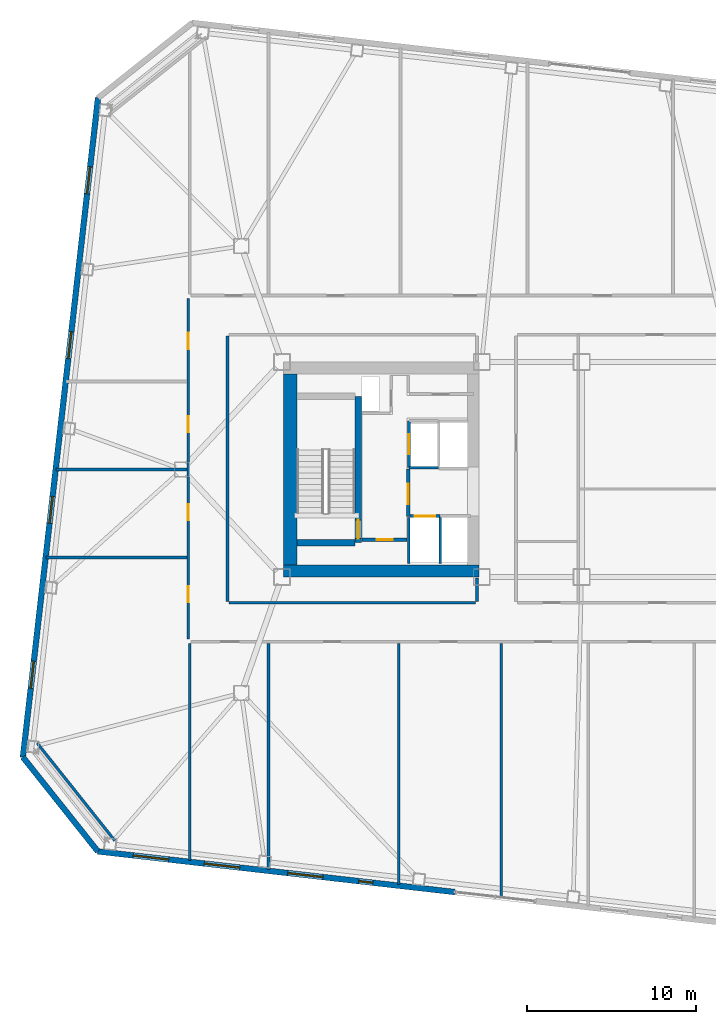
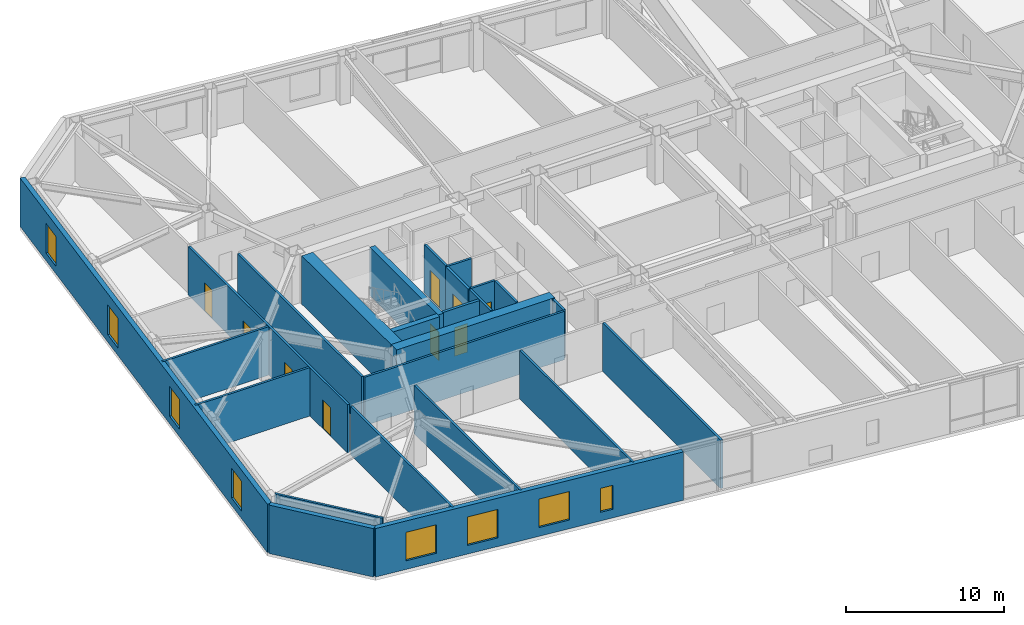
# One storey, part 12 of 22: 25 walls, 9 doors, 8 windows, 17 openings.
"""IFC4 building model written with IfcOpenShell, lengths in metres."""

import ifcopenshell
import ifcopenshell.guid

model = None  # the IFC model being written
_history = None  # IfcOwnerHistory: only IFC2X3 demands one
_inside = {}  # id of a spatial element -> (the spatial element, [elements in it])
_under = {}  # id of a project, library or spatial element -> (it, [spatial elements below it])
_declared = {}  # id of a project -> (the project, [libraries it declares])
_typed = {}  # id of a type object -> (the type object, [elements of that type])
_made_of = {}  # id of a material, layer set ... -> (it, [elements and type objects made of it])


def new_model(schema):
    """Start an empty IFC model of exactly this schema.

    Asked for "IFC4X3", IfcOpenShell would pick the latest addendum, in which some entities
    have other attributes; the version numbers below select the first issue.
    IFC2X3 requires an IfcOwnerHistory on every rooted entity: one is made here for all.
    """
    global model, _history
    if schema == "IFC4X3":
        model = ifcopenshell.file(schema_version=(4, 3, 0, 0))
    else:
        model = ifcopenshell.file(schema=schema)
    _inside.clear()
    _under.clear()
    _declared.clear()
    _typed.clear()
    _made_of.clear()
    _history = None
    if model.schema == "IFC2X3":
        org = make("IfcOrganization", Name="unknown")
        user = make(
            "IfcPersonAndOrganization",
            ThePerson=make("IfcPerson", FamilyName="unknown"),
            TheOrganization=org,
        )
        app = make(
            "IfcApplication",
            ApplicationDeveloper=org,
            Version="unknown",
            ApplicationFullName="unknown",
            ApplicationIdentifier="unknown",
        )
        _history = make(
            "IfcOwnerHistory",
            OwningUser=user,
            OwningApplication=app,
            ChangeAction="ADDED",
            CreationDate=0,
        )
    return model


def make(cls, **values):
    """One entity of the class cls with the attributes given. An attribute that is None is left unset."""
    return model.create_entity(
        cls, **{name: value for name, value in values.items() if value is not None}
    )


def rooted(cls, **values):
    """An entity with a GlobalId (a new one), such as an element, a storey or a relation."""
    return make(cls, GlobalId=ifcopenshell.guid.new(), OwnerHistory=_history, **values)


def si_unit(unit_type, name, prefix=None):
    """IfcSIUnit, for example si_unit("LENGTHUNIT", "METRE", prefix="MILLI")."""
    return make("IfcSIUnit", UnitType=unit_type, Prefix=prefix, Name=name)


def assignment(units):
    """IfcUnitAssignment: the units of a project."""
    return None if units is None else make("IfcUnitAssignment", Units=units)


def point(xyz):
    """IfcCartesianPoint."""
    return None if xyz is None else make("IfcCartesianPoint", Coordinates=xyz)


def direction(xyz):
    """IfcDirection."""
    return None if xyz is None else make("IfcDirection", DirectionRatios=xyz)


def frame(location, z_axis=None, x_axis=None):
    """IfcAxis2Placement3D, a coordinate frame: its origin and axes. An axis left out is left unset."""
    return make(
        "IfcAxis2Placement3D",
        Location=point(location),
        Axis=direction(z_axis),
        RefDirection=direction(x_axis),
    )


def frame_2d(location, x_axis=None):
    """IfcAxis2Placement2D, a coordinate frame in the plane: its origin and x axis."""
    return make(
        "IfcAxis2Placement2D", Location=point(location), RefDirection=direction(x_axis)
    )


def origin():
    """The frame at (0, 0, 0) with its axes left unset."""
    return frame((0.0, 0.0, 0.0))


def place(relative_to, where):
    """IfcLocalPlacement: puts the frame where relative to a parent placement (None: the world)."""
    return make(
        "IfcLocalPlacement", PlacementRelTo=relative_to, RelativePlacement=where
    )


def context(
    kind, dimensions, precision=None, world=None, true_north=None, identifier=None
):
    """IfcGeometricRepresentationContext, for example the 3D "Model" context."""
    return make(
        "IfcGeometricRepresentationContext",
        ContextIdentifier=identifier,
        ContextType=kind,
        CoordinateSpaceDimension=dimensions,
        Precision=precision,
        WorldCoordinateSystem=world,
        TrueNorth=true_north,
    )


def subcontext(parent, identifier, kind, view, scale=None):
    """IfcGeometricRepresentationSubContext, for example "Body" below "Model"."""
    return make(
        "IfcGeometricRepresentationSubContext",
        ContextIdentifier=identifier,
        ContextType=kind,
        ParentContext=parent,
        TargetScale=scale,
        TargetView=view,
    )


def project(units=None, contexts=None):
    """IfcProject with its units and contexts."""
    return rooted(
        "IfcProject",
        Name="project",
        RepresentationContexts=contexts,
        UnitsInContext=assignment(units),
    )


def spatial(cls, under=None, at=None, **own):
    """A site, building, storey or space (cls), placed at a placement, below another one or the project."""
    s = rooted(cls, ObjectPlacement=at, **own)
    if under is not None:
        _under.setdefault(under.id(), (under, []))[1].append(s)
    return s


def profile(cls, at=None, kind="AREA", **sizes):
    """A parametric profile (cls). Its sizes go by their IFC names, for example OverallWidth=200.0."""
    return make(cls, ProfileType=kind, Position=at, **sizes)


def rectangle(**sizes):
    """IfcRectangleProfileDef."""
    return profile("IfcRectangleProfileDef", **sizes)


def extrude(swept, where, along, depth):
    """IfcExtrudedAreaSolid: the profile swept, set in the frame where, extruded along a direction by depth."""
    return make(
        "IfcExtrudedAreaSolid",
        SweptArea=swept,
        Position=where,
        ExtrudedDirection=direction(along),
        Depth=depth,
    )


def shape(context_of_items, identifier, shape_type, items):
    """IfcShapeRepresentation: the items that make up one representation, for example the "Body"."""
    return make(
        "IfcShapeRepresentation",
        ContextOfItems=context_of_items,
        RepresentationIdentifier=identifier,
        RepresentationType=shape_type,
        Items=items,
    )


def material(Name=None, Category=None):
    """IfcMaterial."""
    return make("IfcMaterial", Name=Name, Category=Category)


def layer(
    of_material, thickness, ventilated=None, Name=None, Category=None, Priority=None
):
    """IfcMaterialLayer: one layer of a wall or slab, of a material (None: an air gap)."""
    return make(
        "IfcMaterialLayer",
        Material=of_material,
        LayerThickness=thickness,
        IsVentilated=ventilated,
        Name=Name,
        Category=Category,
        Priority=Priority,
    )


def layer_set(layers, Name=None):
    """IfcMaterialLayerSet."""
    return make("IfcMaterialLayerSet", MaterialLayers=layers, LayerSetName=Name)


def made_of(thing, what):
    """Note that an element or type object is made of a material, layer set ...; save() writes the relation."""
    if what is not None:
        _made_of.setdefault(what.id(), (what, []))[1].append(thing)
    return thing


def type_object(cls, material=None, **own):
    """A type object (cls), such as IfcWallType, which elements share."""
    return made_of(rooted(cls, **own), material)


def element(
    cls,
    number,
    at=None,
    inside=None,
    cuts=None,
    type_object=None,
    material=None,
    context=None,
    identifier="Body",
    shape_type=None,
    held_by="IfcProductDefinitionShape",
    body=None,
    shapes=None,
    **own,
):
    """One element of the class cls, such as IfcWall. Its Tag is "e" and its number.

    at: its placement. inside: the storey or other place that contains it. cuts: it is an
    opening in that element (IfcRelVoidsElement). A single representation is given by context,
    identifier, shape_type and body (its items); several are given by shapes. held_by: the class
    of the entity that holds the representations. save() writes the other relations.
    """
    e = rooted(cls, Tag="e%d" % number, ObjectPlacement=at, **own)
    if body is not None:
        shapes = [shape(context, identifier, shape_type, body)]
    if shapes is not None:
        e.Representation = make(held_by, Representations=shapes)
    if inside is not None:
        _inside.setdefault(inside.id(), (inside, []))[1].append(e)
    if cuts is not None:
        rooted(
            "IfcRelVoidsElement", RelatingBuildingElement=cuts, RelatedOpeningElement=e
        )
    if type_object is not None:
        _typed.setdefault(type_object.id(), (type_object, []))[1].append(e)
    return made_of(e, material)


def fill(opening, filler):
    """IfcRelFillsElement: the door or window that sits in an opening."""
    return rooted(
        "IfcRelFillsElement",
        RelatingOpeningElement=opening,
        RelatedBuildingElement=filler,
    )


def aggregate(whole, parts):
    """IfcRelAggregates: a whole, such as a stair, and the parts it consists of."""
    return rooted("IfcRelAggregates", RelatingObject=whole, RelatedObjects=parts)


def save(model, path):
    """Write the relations noted so far, then the file.

    IfcRelAggregates (storeys below a building ...), IfcRelContainedInSpatialStructure (elements
    in a storey), IfcRelDefinesByType, IfcRelAssociatesMaterial and IfcRelDeclares: one each for
    every whole, place, type object, material and project.
    """
    for whole, parts in _under.values():
        aggregate(whole, parts)
    for where, things in _inside.values():
        rooted(
            "IfcRelContainedInSpatialStructure",
            RelatedElements=things,
            RelatingStructure=where,
        )
    for kind, things in _typed.values():
        rooted("IfcRelDefinesByType", RelatedObjects=things, RelatingType=kind)
    for what, things in _made_of.values():
        rooted("IfcRelAssociatesMaterial", RelatedObjects=things, RelatingMaterial=what)
    for by, libraries in _declared.values():
        rooted("IfcRelDeclares", RelatingContext=by, RelatedDefinitions=libraries)
    model.write(path)


model = new_model("IFC4")

# Units and contexts
model_context = context("Model", 3, precision=1e-05, world=origin(), true_north=direction((0.0, 1.0)))
body_context = subcontext(model_context, "Body", "Model", "MODEL_VIEW")
ifc_project = project(units=[si_unit("LENGTHUNIT", "METRE"), si_unit("AREAUNIT", "SQUARE_METRE"), si_unit("VOLUMEUNIT", "CUBIC_METRE"), si_unit("PLANEANGLEUNIT", "RADIAN"), si_unit("MASSUNIT", "GRAM", prefix="KILO")], contexts=[model_context])

# Site, building, storey
site_placement = place(None, origin())
site = spatial("IfcSite", under=ifc_project, at=site_placement, CompositionType="ELEMENT")
building_placement = place(site_placement, origin())
building = spatial("IfcBuilding", under=site, at=building_placement, Name="Tavrogorsk Clinical Tower", CompositionType="ELEMENT")
storey_placement = place(building_placement, frame((0.0, 0.0, 117.39990234375)))
storey = spatial("IfcBuildingStorey", under=building, at=storey_placement, Name="L26", CompositionType="ELEMENT", Elevation=117.39990234375)

# Wall, opening, door
ifc_material_1 = material(Name="Concrete B60", Category="concrete")
ifc_layer_1 = layer(ifc_material_1, 0.199951171875)
ifc_layer_set_1 = layer_set([ifc_layer_1], Name="Concrete B60")
wall_type_1 = type_object("IfcWallType", Name="CoreFireWall_200", PredefinedType="SOLIDWALL", material=ifc_layer_set_1)
wall_1_placement = place(storey_placement, frame((-17.3798828125, -4.139892578125, 0.0), z_axis=(0.0, 0.0, 1.0), x_axis=(1.0, 0.0, 0.0)))
wall_1 = element("IfcWall", 1, at=wall_1_placement, inside=storey, type_object=wall_type_1, Name="L26 Core West South Core Room Fire Wall", PredefinedType="SOLIDWALL", context=body_context, shape_type="SweptSolid", body=[
    extrude(rectangle(XDim=2.659912109375, YDim=0.199951171875, at=frame_2d((1.330078125, 0.0))), origin(), (0.0, 0.0, 1.0), 3.739990234375),
])
opening_1_placement = place(wall_1_placement, frame((0.8798828125, 0.0, 0.0)))
opening_1 = element("IfcOpeningElement", 2, at=opening_1_placement, cuts=wall_1, Name="Opening ID-02", PredefinedType="OPENING", context=body_context, shape_type="SweptSolid", body=[
    extrude(rectangle(XDim=0.949951171875, YDim=2.199951171875, at=frame_2d((0.47509765625, 1.10009765625))), frame((0.0, 0.10986328125, 0.0), z_axis=(0.0, -1.0, 0.0), x_axis=(1.0, 0.0, 0.0)), (0.0, 0.0, 1.0), 0.219970703125),
])
ifc_material_2 = material(Name="Laminated timber leaf on aluminium frame", Category="wood")
door_type_1 = type_object("IfcDoorType", Name="InteriorDoor_ID02_950", OperationType="NOTDEFINED", PredefinedType="DOOR", material=ifc_material_2)
door_1_placement = place(opening_1_placement, origin())
door_1 = element("IfcDoor", 3, at=door_1_placement, inside=storey, type_object=door_type_1, Name="L26 Core West South Core Room Door", OperationType="SINGLE_SWING_RIGHT", OverallHeight=2.199951171875, OverallWidth=0.949951171875, PredefinedType="DOOR", context=body_context, shape_type="SweptSolid", body=[
    extrude(rectangle(XDim=0.949951171875, YDim=2.199951171875, at=frame_2d((0.47509765625, 1.10009765625))), frame((0.0, 0.02490234375, 0.0), z_axis=(0.0, -1.0, 0.0), x_axis=(1.0, 0.0, 0.0)), (0.0, 0.0, 1.0), 0.050048828125),
])
fill(opening_1, door_1)

wall_2_placement = place(storey_placement, frame((-14.639892578125, -2.780029296875, 0.0), z_axis=(0.0, 0.0, 1.0), x_axis=(0.0, 1.0, 0.0)))
wall_2 = element("IfcWall", 4, at=wall_2_placement, inside=storey, type_object=wall_type_1, Name="L26 Core West Firefighting Lobby Fire Wall", PredefinedType="SOLIDWALL", context=body_context, shape_type="SweptSolid", body=[
    extrude(rectangle(XDim=2.820068359375, YDim=0.199951171875, at=frame_2d((1.41015625, 0.0))), origin(), (0.0, 0.0, 1.0), 3.739990234375),
])
opening_2_placement = place(wall_2_placement, frame((0.72998046875, 0.0, 0.0)))
opening_2 = element("IfcOpeningElement", 5, at=opening_2_placement, cuts=wall_2, Name="Opening FD-01", PredefinedType="OPENING", context=body_context, shape_type="SweptSolid", body=[
    extrude(rectangle(XDim=1.199951171875, YDim=2.199951171875, at=frame_2d((0.60009765625, 1.10009765625))), frame((0.0, 0.10986328125, 0.0), z_axis=(0.0, -1.0, 0.0), x_axis=(1.0, 0.0, 0.0)), (0.0, 0.0, 1.0), 0.219970703125),
])
ifc_material_3 = material(Name="Galvanised steel fire-rated door assembly", Category="steel")
door_type_2 = type_object("IfcDoorType", Name="FireDoor_FD01_1200", OperationType="NOTDEFINED", PredefinedType="DOOR", material=ifc_material_3)
door_2_placement = place(opening_2_placement, origin())
door_2 = element("IfcDoor", 6, at=door_2_placement, inside=storey, type_object=door_type_2, Name="L26 Core West Firefighting Lobby Entry Door", OperationType="SINGLE_SWING_RIGHT", OverallHeight=2.199951171875, OverallWidth=1.199951171875, PredefinedType="DOOR", context=body_context, shape_type="SweptSolid", body=[
    extrude(rectangle(XDim=1.199951171875, YDim=2.199951171875, at=frame_2d((0.60009765625, 1.10009765625))), frame((0.0, 0.02490234375, 0.0), z_axis=(0.0, -1.0, 0.0), x_axis=(1.0, 0.0, 0.0)), (0.0, 0.0, 1.0), 0.050048828125),
])
fill(opening_2, door_2)

# Wall
ifc_material_4 = material(Name="Lightweight concrete blockwork B15", Category="masonry")
ifc_layer_2 = layer(ifc_material_4, 0.159912109375)
ifc_layer_set_2 = layer_set([ifc_layer_2], Name="Lightweight concrete blockwork B15")
wall_type_2 = type_object("IfcWallType", Name="PartitionWall_160", PredefinedType="PARTITIONING", material=ifc_layer_set_2)
wall_3_placement = place(storey_placement, frame((-36.555908203125, -16.161865234375, 0.0), z_axis=(0.0, 0.0, 1.0), x_axis=(0.622522641622, -0.782601789334, 0.0)))
element("IfcWall", 7, at=wall_3_placement, inside=storey, type_object=wall_type_2, Name="L26 Corner Exoskeleton Brace Furring Wall 4", PredefinedType="PARTITIONING", context=body_context, shape_type="SweptSolid", body=[
    extrude(rectangle(XDim=7.354248046875, YDim=0.159912109375, at=frame_2d((3.67724609375, 0.0))), origin(), (0.0, 0.0, 1.0), 3.739990234375),
])

# Wall, openings, doors
wall_4_placement = place(storey_placement, frame((-27.6298828125, -10.014892578125, 0.0), z_axis=(0.0, 0.0, 1.0), x_axis=(0.0, 1.0, 0.0)))
wall_4 = element("IfcWall", 8, at=wall_4_placement, inside=storey, type_object=wall_type_2, Name="L26 Corridor Partition 01", PredefinedType="PARTITIONING", context=body_context, shape_type="SweptSolid", body=[
    extrude(rectangle(XDim=20.1298828125, YDim=0.159912109375, at=frame_2d((10.06494140625, 0.0))), origin(), (0.0, 0.0, 1.0), 3.739990234375),
])
opening_3_placement = place(wall_4_placement, frame((2.169189453125, 0.0, 0.0)))
opening_3 = element("IfcOpeningElement", 9, at=opening_3_placement, cuts=wall_4, Name="Opening ID-02", PredefinedType="OPENING", context=body_context, shape_type="SweptSolid", body=[
    extrude(rectangle(XDim=0.949951171875, YDim=2.199951171875, at=frame_2d((0.47509765625, 1.10009765625))), frame((0.0, 0.08984375, 0.0), z_axis=(0.0, -1.0, 0.0), x_axis=(1.0, 0.0, 0.0)), (0.0, 0.0, 1.0), 0.179931640625),
])
opening_4_placement = place(wall_4_placement, frame((7.02490234375, 0.0, 0.0)))
opening_4 = element("IfcOpeningElement", 10, at=opening_4_placement, cuts=wall_4, Name="Opening ID-02", PredefinedType="OPENING", context=body_context, shape_type="SweptSolid", body=[
    extrude(rectangle(XDim=0.949951171875, YDim=2.199951171875, at=frame_2d((0.47509765625, 1.10009765625))), frame((0.0, 0.08984375, 0.0), z_axis=(0.0, -1.0, 0.0), x_axis=(1.0, 0.0, 0.0)), (0.0, 0.0, 1.0), 0.179931640625),
])
opening_5_placement = place(wall_4_placement, frame((12.22509765625, 0.0, 0.0)))
opening_5 = element("IfcOpeningElement", 11, at=opening_5_placement, cuts=wall_4, Name="Opening ID-02", PredefinedType="OPENING", context=body_context, shape_type="SweptSolid", body=[
    extrude(rectangle(XDim=0.949951171875, YDim=2.199951171875, at=frame_2d((0.47509765625, 1.10009765625))), frame((0.0, 0.08984375, 0.0), z_axis=(0.0, -1.0, 0.0), x_axis=(1.0, 0.0, 0.0)), (0.0, 0.0, 1.0), 0.179931640625),
])
opening_6_placement = place(wall_4_placement, frame((17.130859375, 0.0, 0.0)))
opening_6 = element("IfcOpeningElement", 12, at=opening_6_placement, cuts=wall_4, Name="Opening ID-02", PredefinedType="OPENING", context=body_context, shape_type="SweptSolid", body=[
    extrude(rectangle(XDim=0.949951171875, YDim=2.199951171875, at=frame_2d((0.47509765625, 1.10009765625))), frame((0.0, 0.08984375, 0.0), z_axis=(0.0, -1.0, 0.0), x_axis=(1.0, 0.0, 0.0)), (0.0, 0.0, 1.0), 0.179931640625),
])
door_3_placement = place(opening_3_placement, origin())
door_3 = element("IfcDoor", 13, at=door_3_placement, inside=storey, type_object=door_type_1, Name="L26 W Solarium Day Room & Lounge 1 Door", OperationType="SINGLE_SWING_LEFT", OverallHeight=2.199951171875, OverallWidth=0.949951171875, PredefinedType="DOOR", context=body_context, shape_type="SweptSolid", body=[
    extrude(rectangle(XDim=0.949951171875, YDim=2.199951171875, at=frame_2d((0.47509765625, 1.10009765625))), frame((0.0, 0.02490234375, 0.0), z_axis=(0.0, -1.0, 0.0), x_axis=(1.0, 0.0, 0.0)), (0.0, 0.0, 1.0), 0.050048828125),
])
fill(opening_3, door_3)
door_4_placement = place(opening_4_placement, origin())
door_4 = element("IfcDoor", 14, at=door_4_placement, inside=storey, type_object=door_type_1, Name="L26 W Rehabilitation Therapy Suite 2 Door", OperationType="SINGLE_SWING_RIGHT", OverallHeight=2.199951171875, OverallWidth=0.949951171875, PredefinedType="DOOR", context=body_context, shape_type="SweptSolid", body=[
    extrude(rectangle(XDim=0.949951171875, YDim=2.199951171875, at=frame_2d((0.47509765625, 1.10009765625))), frame((0.0, 0.02490234375, 0.0), z_axis=(0.0, -1.0, 0.0), x_axis=(1.0, 0.0, 0.0)), (0.0, 0.0, 1.0), 0.050048828125),
])
fill(opening_4, door_4)
door_5_placement = place(opening_5_placement, origin())
door_5 = element("IfcDoor", 15, at=door_5_placement, inside=storey, type_object=door_type_1, Name="L26 W Sub-Acute Observation Suite 3 Door", OperationType="SINGLE_SWING_LEFT", OverallHeight=2.199951171875, OverallWidth=0.949951171875, PredefinedType="DOOR", context=body_context, shape_type="SweptSolid", body=[
    extrude(rectangle(XDim=0.949951171875, YDim=2.199951171875, at=frame_2d((0.47509765625, 1.10009765625))), frame((0.0, 0.02490234375, 0.0), z_axis=(0.0, -1.0, 0.0), x_axis=(1.0, 0.0, 0.0)), (0.0, 0.0, 1.0), 0.050048828125),
])
fill(opening_5, door_5)
door_6_placement = place(opening_6_placement, origin())
door_6 = element("IfcDoor", 16, at=door_6_placement, inside=storey, type_object=door_type_1, Name="L26 W Family Consultation Lounge 4 Door", OperationType="SINGLE_SWING_RIGHT", OverallHeight=2.199951171875, OverallWidth=0.949951171875, PredefinedType="DOOR", context=body_context, shape_type="SweptSolid", body=[
    extrude(rectangle(XDim=0.949951171875, YDim=2.199951171875, at=frame_2d((0.47509765625, 1.10009765625))), frame((0.0, 0.02490234375, 0.0), z_axis=(0.0, -1.0, 0.0), x_axis=(1.0, 0.0, 0.0)), (0.0, 0.0, 1.0), 0.050048828125),
])
fill(opening_6, door_6)

# Walls
wall_5_placement = place(storey_placement, frame((-10.580078125, -7.784912109375, 0.0), z_axis=(0.0, 0.0, 1.0), x_axis=(0.0, 1.0, 0.0)))
element("IfcWall", 17, at=wall_5_placement, inside=storey, type_object=wall_type_2, Name="L26 Corridor Partition 14", PredefinedType="PARTITIONING", context=body_context, shape_type="SweptSolid", body=[
    extrude(rectangle(XDim=1.364990234375, YDim=0.159912109375, at=frame_2d((0.6826171875, 0.0))), origin(), (0.0, 0.0, 1.0), 3.739990234375),
])
wall_6_placement = place(storey_placement, frame((-25.320068359375, 7.885009765625, 0.0), z_axis=(0.0, 0.0, 1.0), x_axis=(0.0, -1.0, 0.0)))
element("IfcWall", 18, at=wall_6_placement, inside=storey, type_object=wall_type_2, Name="L26 Corridor Partition 17", PredefinedType="PARTITIONING", context=body_context, shape_type="SweptSolid", body=[
    extrude(rectangle(XDim=15.669921875, YDim=0.159912109375, at=frame_2d((7.8349609375, 0.0))), origin(), (0.0, 0.0, 1.0), 3.739990234375),
])
wall_7_placement = place(storey_placement, frame((-25.235107421875, -7.8701171875, 0.0), z_axis=(0.0, 0.0, 1.0), x_axis=(1.0, 0.0, 0.0)))
element("IfcWall", 19, at=wall_7_placement, inside=storey, type_object=wall_type_2, Name="L26 Corridor Partition 18", PredefinedType="PARTITIONING", context=body_context, shape_type="SweptSolid", body=[
    extrude(rectangle(XDim=14.570068359375, YDim=0.159912109375, at=frame_2d((7.28515625, 0.0))), origin(), (0.0, 0.0, 1.0), 3.739990234375),
])
wall_8_placement = place(storey_placement, frame((-27.550048828125, -23.1064453125, 0.0), z_axis=(0.0, 0.0, 1.0), x_axis=(0.0, 1.0, 0.0)))
element("IfcWall", 20, at=wall_8_placement, inside=storey, type_object=wall_type_2, Name="L26 SW Wing Closure Partition", PredefinedType="PARTITIONING", context=body_context, shape_type="SweptSolid", body=[
    extrude(rectangle(XDim=12.841552734375, YDim=0.159912109375, at=frame_2d((6.4208984375, 0.0))), origin(), (0.0, 0.0, 1.0), 3.739990234375),
])
wall_9_placement = place(storey_placement, frame((-22.89990234375, -23.63623046875, 0.0), z_axis=(0.0, 0.0, 1.0), x_axis=(0.0, 1.0, 0.0)))
element("IfcWall", 21, at=wall_9_placement, inside=storey, type_object=wall_type_2, Name="L26 South Room Partition 1", PredefinedType="PARTITIONING", context=body_context, shape_type="SweptSolid", body=[
    extrude(rectangle(XDim=13.371337890625, YDim=0.159912109375, at=frame_2d((6.685546875, 0.0))), origin(), (0.0, 0.0, 1.0), 3.739990234375),
])
wall_10_placement = place(storey_placement, frame((-15.199951171875, -24.513671875, 0.0), z_axis=(0.0, 0.0, 1.0), x_axis=(0.0, 1.0, 0.0)))
element("IfcWall", 22, at=wall_10_placement, inside=storey, type_object=wall_type_2, Name="L26 South Room Partition 2", PredefinedType="PARTITIONING", context=body_context, shape_type="SweptSolid", body=[
    extrude(rectangle(XDim=14.248779296875, YDim=0.159912109375, at=frame_2d((7.12451171875, 0.0))), origin(), (0.0, 0.0, 1.0), 3.739990234375),
])
wall_11_placement = place(storey_placement, frame((-9.14990234375, -25.202880859375, 0.0), z_axis=(0.0, 0.0, 1.0), x_axis=(0.0, 1.0, 0.0)))
element("IfcWall", 23, at=wall_11_placement, inside=storey, type_object=wall_type_2, Name="L26 South Sub-Partition 3", PredefinedType="PARTITIONING", context=body_context, shape_type="SweptSolid", body=[
    extrude(rectangle(XDim=14.93798828125, YDim=0.159912109375, at=frame_2d((7.468994140625, 0.0))), origin(), (0.0, 0.0, 1.0), 3.739990234375),
])
wall_12_placement = place(storey_placement, frame((-36.0419921875, -5.199951171875, 0.0), z_axis=(0.0, 0.0, 1.0), x_axis=(1.0, 0.0, 0.0)))
element("IfcWall", 24, at=wall_12_placement, inside=storey, type_object=wall_type_2, Name="L26 W Wing Divider 1", PredefinedType="PARTITIONING", context=body_context, shape_type="SweptSolid", body=[
    extrude(rectangle(XDim=8.326904296875, YDim=0.159912109375, at=frame_2d((4.16357421875, 0.0))), origin(), (0.0, 0.0, 1.0), 3.739990234375),
])
wall_13_placement = place(storey_placement, frame((-35.449462890625, 0.0, 0.0), z_axis=(0.0, 0.0, 1.0), x_axis=(1.0, 0.0, 0.0)))
element("IfcWall", 25, at=wall_13_placement, inside=storey, type_object=wall_type_2, Name="L26 W Wing Divider 2", PredefinedType="PARTITIONING", context=body_context, shape_type="SweptSolid", body=[
    extrude(rectangle(XDim=7.734375, YDim=0.159912109375, at=frame_2d((3.8671875, 0.0))), origin(), (0.0, 0.0, 1.0), 3.739990234375),
])

# Wall, openings, windows
ifc_material_5 = material(Name="Precast concrete B45 with limestone cladding", Category="masonry")
ifc_layer_3 = layer(ifc_material_5, 0.340087890625)
ifc_layer_set_3 = layer_set([ifc_layer_3], Name="Precast concrete B45 with limestone cladding")
wall_type_3 = type_object("IfcWallType", Name="PrecastLimestoneWall_340", PredefinedType="STANDARD", material=ifc_layer_set_3)
wall_14_placement = place(storey_placement, frame((-32.977294921875, -22.55859375, 0.0), z_axis=(0.0, 0.0, 1.0), x_axis=(0.993571214605, -0.113208840243, 0.0)))
wall_14 = element("IfcWall", 26, at=wall_14_placement, inside=storey, type_object=wall_type_3, Name="L26 S Limestone Facade Wall 1", PredefinedType="STANDARD", context=body_context, shape_type="SweptSolid", body=[
    extrude(rectangle(XDim=21.22265625, YDim=0.340087890625, at=frame_2d((10.611328125, 0.0))), origin(), (0.0, 0.0, 1.0), 3.739990234375),
])
opening_7_placement = place(wall_14_placement, frame((2.10791015625, 0.0, 0.669921875)))
opening_7 = element("IfcOpeningElement", 27, at=opening_7_placement, cuts=wall_14, Name="Opening WN-03", PredefinedType="OPENING", context=body_context, shape_type="SweptSolid", body=[
    extrude(rectangle(XDim=2.10009765625, YDim=2.199951171875, at=frame_2d((1.050048828125, 1.10009765625))), frame((0.0, 0.179931640625, 0.0), z_axis=(0.0, -1.0, 0.0), x_axis=(1.0, 0.0, 0.0)), (0.0, 0.0, 1.0), 0.360107421875),
])
opening_8_placement = place(wall_14_placement, frame((6.329345703125, 0.0, 0.669921875)))
opening_8 = element("IfcOpeningElement", 28, at=opening_8_placement, cuts=wall_14, Name="Opening WN-03", PredefinedType="OPENING", context=body_context, shape_type="SweptSolid", body=[
    extrude(rectangle(XDim=2.10009765625, YDim=2.199951171875, at=frame_2d((1.050048828125, 1.10009765625))), frame((0.0, 0.179931640625, 0.0), z_axis=(0.0, -1.0, 0.0), x_axis=(1.0, 0.0, 0.0)), (0.0, 0.0, 1.0), 0.360107421875),
])
opening_9_placement = place(wall_14_placement, frame((11.284912109375, 0.0, 0.669921875)))
opening_9 = element("IfcOpeningElement", 29, at=opening_9_placement, cuts=wall_14, Name="Opening WN-03", PredefinedType="OPENING", context=body_context, shape_type="SweptSolid", body=[
    extrude(rectangle(XDim=2.10009765625, YDim=2.199951171875, at=frame_2d((1.050048828125, 1.10009765625))), frame((0.0, 0.179931640625, 0.0), z_axis=(0.0, -1.0, 0.0), x_axis=(1.0, 0.0, 0.0)), (0.0, 0.0, 1.0), 0.360107421875),
])
opening_10_placement = place(wall_14_placement, frame((15.50634765625, 0.0, 0.669921875)))
opening_10 = element("IfcOpeningElement", 30, at=opening_10_placement, cuts=wall_14, Name="Opening WN-06", PredefinedType="OPENING", context=body_context, shape_type="SweptSolid", body=[
    extrude(rectangle(XDim=0.85009765625, YDim=1.85009765625, at=frame_2d((0.425048828125, 0.925048828125))), frame((0.0, 0.179931640625, 0.0), z_axis=(0.0, -1.0, 0.0), x_axis=(1.0, 0.0, 0.0)), (0.0, 0.0, 1.0), 0.360107421875),
])
ifc_material_6 = material(Name="Thermally broken aluminium frame and triple IGU", Category="aluminium")
window_type_1 = type_object("IfcWindowType", Name="MullionSubWin_850x1850", PartitioningType="SINGLE_PANEL", PredefinedType="WINDOW", material=ifc_material_6)
window_1_placement = place(opening_10_placement, origin())
window_1 = element("IfcWindow", 31, at=window_1_placement, inside=storey, type_object=window_type_1, Name="L26 S Mullion Split Window 04A", OverallHeight=1.85009765625, OverallWidth=0.85009765625, PartitioningType="SINGLE_PANEL", PredefinedType="WINDOW", context=body_context, shape_type="SweptSolid", body=[
    extrude(rectangle(XDim=0.85009765625, YDim=1.85009765625, at=frame_2d((0.425048828125, 0.925048828125))), frame((0.0, 0.030029296875, 0.0), z_axis=(0.0, -1.0, 0.0), x_axis=(1.0, 0.0, 0.0)), (0.0, 0.0, 1.0), 0.06005859375),
])
fill(opening_10, window_1)
ifc_material_7 = material(Name="Thermally broken aluminium frame and triple IGU", Category="aluminium")
window_type_2 = type_object("IfcWindowType", Name="PatientTwinWin_2100x2200", PartitioningType="DOUBLE_PANEL_VERTICAL", PredefinedType="WINDOW", material=ifc_material_7)
window_2_placement = place(opening_7_placement, origin())
window_2 = element("IfcWindow", 32, at=window_2_placement, inside=storey, type_object=window_type_2, Name="L26 S Chicago Window 01", OverallHeight=2.199951171875, OverallWidth=2.10009765625, PartitioningType="SINGLE_PANEL", PredefinedType="WINDOW", context=body_context, shape_type="SweptSolid", body=[
    extrude(rectangle(XDim=2.10009765625, YDim=2.199951171875, at=frame_2d((1.050048828125, 1.10009765625))), frame((0.0, 0.030029296875, 0.0), z_axis=(0.0, -1.0, 0.0), x_axis=(1.0, 0.0, 0.0)), (0.0, 0.0, 1.0), 0.06005859375),
])
fill(opening_7, window_2)
window_3_placement = place(opening_8_placement, origin())
window_3 = element("IfcWindow", 33, at=window_3_placement, inside=storey, type_object=window_type_2, Name="L26 S Chicago Window 02", OverallHeight=2.199951171875, OverallWidth=2.10009765625, PartitioningType="SINGLE_PANEL", PredefinedType="WINDOW", context=body_context, shape_type="SweptSolid", body=[
    extrude(rectangle(XDim=2.10009765625, YDim=2.199951171875, at=frame_2d((1.050048828125, 1.10009765625))), frame((0.0, 0.030029296875, 0.0), z_axis=(0.0, -1.0, 0.0), x_axis=(1.0, 0.0, 0.0)), (0.0, 0.0, 1.0), 0.06005859375),
])
fill(opening_8, window_3)
window_4_placement = place(opening_9_placement, origin())
window_4 = element("IfcWindow", 34, at=window_4_placement, inside=storey, type_object=window_type_2, Name="L26 S Chicago Window 03", OverallHeight=2.199951171875, OverallWidth=2.10009765625, PartitioningType="SINGLE_PANEL", PredefinedType="WINDOW", context=body_context, shape_type="SweptSolid", body=[
    extrude(rectangle(XDim=2.10009765625, YDim=2.199951171875, at=frame_2d((1.050048828125, 1.10009765625))), frame((0.0, 0.030029296875, 0.0), z_axis=(0.0, -1.0, 0.0), x_axis=(1.0, 0.0, 0.0)), (0.0, 0.0, 1.0), 0.06005859375),
])
fill(opening_9, window_4)

wall_15_placement = place(storey_placement, frame((-32.968017578125, 21.95654296875, 0.0), z_axis=(0.0, 0.0, 1.0), x_axis=(-0.113201605824, -0.993572038877, 0.0)))
wall_15 = element("IfcWall", 35, at=wall_15_placement, inside=storey, type_object=wall_type_3, Name="L26 W Pleated Limestone Wing Wall", PredefinedType="STANDARD", context=body_context, shape_type="SweptSolid", body=[
    extrude(rectangle(XDim=39.199951171875, YDim=0.340087890625, at=frame_2d((19.60009765625, 0.0))), origin(), (0.0, 0.0, 1.0), 3.739990234375),
])
opening_11_placement = place(wall_15_placement, frame((4.10009765625, 0.0, 0.580078125)))
opening_11 = element("IfcOpeningElement", 36, at=opening_11_placement, cuts=wall_15, Name="Opening WN-07", PredefinedType="OPENING", context=body_context, shape_type="SweptSolid", body=[
    extrude(rectangle(XDim=1.60009765625, YDim=2.300048828125, at=frame_2d((0.800048828125, 1.14990234375))), frame((0.0, 0.179931640625, 0.0), z_axis=(0.0, -1.0, 0.0), x_axis=(1.0, 0.0, 0.0)), (0.0, 0.0, 1.0), 0.360107421875),
])
opening_12_placement = place(wall_15_placement, frame((13.89990234375, 0.0, 0.580078125)))
opening_12 = element("IfcOpeningElement", 37, at=opening_12_placement, cuts=wall_15, Name="Opening WN-07", PredefinedType="OPENING", context=body_context, shape_type="SweptSolid", body=[
    extrude(rectangle(XDim=1.60009765625, YDim=2.300048828125, at=frame_2d((0.800048828125, 1.14990234375))), frame((0.0, 0.179931640625, 0.0), z_axis=(0.0, -1.0, 0.0), x_axis=(1.0, 0.0, 0.0)), (0.0, 0.0, 1.0), 0.360107421875),
])
opening_13_placement = place(wall_15_placement, frame((23.699951171875, 0.0, 0.580078125)))
opening_13 = element("IfcOpeningElement", 38, at=opening_13_placement, cuts=wall_15, Name="Opening WN-07", PredefinedType="OPENING", context=body_context, shape_type="SweptSolid", body=[
    extrude(rectangle(XDim=1.60009765625, YDim=2.300048828125, at=frame_2d((0.800048828125, 1.14990234375))), frame((0.0, 0.179931640625, 0.0), z_axis=(0.0, -1.0, 0.0), x_axis=(1.0, 0.0, 0.0)), (0.0, 0.0, 1.0), 0.360107421875),
])
opening_14_placement = place(wall_15_placement, frame((33.5, 0.0, 0.580078125)))
opening_14 = element("IfcOpeningElement", 39, at=opening_14_placement, cuts=wall_15, Name="Opening WN-07", PredefinedType="OPENING", context=body_context, shape_type="SweptSolid", body=[
    extrude(rectangle(XDim=1.60009765625, YDim=2.300048828125, at=frame_2d((0.800048828125, 1.14990234375))), frame((0.0, 0.179931640625, 0.0), z_axis=(0.0, -1.0, 0.0), x_axis=(1.0, 0.0, 0.0)), (0.0, 0.0, 1.0), 0.360107421875),
])
ifc_material_8 = material(Name="Thermally broken aluminium frame and triple IGU", Category="aluminium")
window_type_3 = type_object("IfcWindowType", Name="PleatSlotWin_1600x2300", PartitioningType="SINGLE_PANEL", PredefinedType="WINDOW", material=ifc_material_8)
window_5_placement = place(opening_11_placement, origin())
window_5 = element("IfcWindow", 40, at=window_5_placement, inside=storey, type_object=window_type_3, Name="L26 W Pleat Slot Window 1", OverallHeight=2.300048828125, OverallWidth=1.60009765625, PartitioningType="SINGLE_PANEL", PredefinedType="WINDOW", context=body_context, shape_type="SweptSolid", body=[
    extrude(rectangle(XDim=1.60009765625, YDim=2.300048828125, at=frame_2d((0.800048828125, 1.14990234375))), frame((0.0, 0.030029296875, 0.0), z_axis=(0.0, -1.0, 0.0), x_axis=(1.0, 0.0, 0.0)), (0.0, 0.0, 1.0), 0.06005859375),
])
fill(opening_11, window_5)
window_6_placement = place(opening_12_placement, origin())
window_6 = element("IfcWindow", 41, at=window_6_placement, inside=storey, type_object=window_type_3, Name="L26 W Pleat Slot Window 2", OverallHeight=2.300048828125, OverallWidth=1.60009765625, PartitioningType="SINGLE_PANEL", PredefinedType="WINDOW", context=body_context, shape_type="SweptSolid", body=[
    extrude(rectangle(XDim=1.60009765625, YDim=2.300048828125, at=frame_2d((0.800048828125, 1.14990234375))), frame((0.0, 0.030029296875, 0.0), z_axis=(0.0, -1.0, 0.0), x_axis=(1.0, 0.0, 0.0)), (0.0, 0.0, 1.0), 0.06005859375),
])
fill(opening_12, window_6)
window_7_placement = place(opening_13_placement, origin())
window_7 = element("IfcWindow", 42, at=window_7_placement, inside=storey, type_object=window_type_3, Name="L26 W Pleat Slot Window 3", OverallHeight=2.300048828125, OverallWidth=1.60009765625, PartitioningType="SINGLE_PANEL", PredefinedType="WINDOW", context=body_context, shape_type="SweptSolid", body=[
    extrude(rectangle(XDim=1.60009765625, YDim=2.300048828125, at=frame_2d((0.800048828125, 1.14990234375))), frame((0.0, 0.030029296875, 0.0), z_axis=(0.0, -1.0, 0.0), x_axis=(1.0, 0.0, 0.0)), (0.0, 0.0, 1.0), 0.06005859375),
])
fill(opening_13, window_7)
window_8_placement = place(opening_14_placement, origin())
window_8 = element("IfcWindow", 43, at=window_8_placement, inside=storey, type_object=window_type_3, Name="L26 W Pleat Slot Window 4", OverallHeight=2.300048828125, OverallWidth=1.60009765625, PartitioningType="SINGLE_PANEL", PredefinedType="WINDOW", context=body_context, shape_type="SweptSolid", body=[
    extrude(rectangle(XDim=1.60009765625, YDim=2.300048828125, at=frame_2d((0.800048828125, 1.14990234375))), frame((0.0, 0.030029296875, 0.0), z_axis=(0.0, -1.0, 0.0), x_axis=(1.0, 0.0, 0.0)), (0.0, 0.0, 1.0), 0.06005859375),
])
fill(opening_14, window_8)

# Wall
wall_16_placement = place(storey_placement, frame((-37.405517578125, -16.991455078125, 0.0), z_axis=(0.0, 0.0, 1.0), x_axis=(0.622507800567, -0.78261359446, 0.0)))
element("IfcWall", 44, at=wall_16_placement, inside=storey, type_object=wall_type_3, Name="L26 Chamfered Corner Wall 4", PredefinedType="STANDARD", context=body_context, shape_type="SweptSolid", body=[
    extrude(rectangle(XDim=7.113525390625, YDim=0.340087890625, at=frame_2d((3.556640625, 0.0))), origin(), (0.0, 0.0, 1.0), 3.739990234375),
])

# Wall, opening, door
ifc_material_9 = material(Name="Lightweight concrete blockwork B25", Category="masonry")
ifc_layer_4 = layer(ifc_material_9, 0.159912109375)
ifc_layer_set_4 = layer_set([ifc_layer_4], Name="Lightweight concrete blockwork B25")
wall_type_4 = type_object("IfcWallType", Name="ShaftWall_160", PredefinedType="PARTITIONING", material=ifc_layer_set_4)
wall_17_placement = place(storey_placement, frame((-14.60009765625, 0.1201171875, 0.0), z_axis=(0.0, 0.0, 1.0), x_axis=(0.0, 1.0, 0.0)))
wall_17 = element("IfcWall", 45, at=wall_17_placement, inside=storey, type_object=wall_type_4, Name="L26 FFL-W Firefighting Lift Front Wall", PredefinedType="PARTITIONING", context=body_context, shape_type="SweptSolid", body=[
    extrude(rectangle(XDim=2.739990234375, YDim=0.159912109375, at=frame_2d((1.3701171875, 0.0))), origin(), (0.0, 0.0, 1.0), 3.739990234375),
])
opening_15_placement = place(wall_17_placement, frame((0.77001953125, 0.0, 0.0)))
opening_15 = element("IfcOpeningElement", 46, at=opening_15_placement, cuts=wall_17, Name="Opening LD", PredefinedType="OPENING", context=body_context, shape_type="SweptSolid", body=[
    extrude(rectangle(XDim=1.199951171875, YDim=2.199951171875, at=frame_2d((0.60009765625, 1.10009765625))), frame((0.0, 0.08984375, 0.0), z_axis=(0.0, -1.0, 0.0), x_axis=(1.0, 0.0, 0.0)), (0.0, 0.0, 1.0), 0.179931640625),
])
ifc_material_10 = material(Name="Brushed stainless steel AISI 304 sliding doors", Category="steel")
door_type_3 = type_object("IfcDoorType", Name="LiftLandingDoor_LD_1200", OperationType="SLIDING_TO_LEFT", PredefinedType="DOOR", material=ifc_material_10)
door_7_placement = place(opening_15_placement, origin())
door_7 = element("IfcDoor", 47, at=door_7_placement, inside=storey, type_object=door_type_3, Name="L26 FFL-W Sliding Lift Landing Door", OperationType="SLIDING_TO_LEFT", OverallHeight=2.199951171875, OverallWidth=1.199951171875, PredefinedType="DOOR", context=body_context, shape_type="SweptSolid", body=[
    extrude(rectangle(XDim=1.199951171875, YDim=2.199951171875, at=frame_2d((0.60009765625, 1.10009765625))), frame((0.0, 0.02490234375, 0.0), z_axis=(0.0, -1.0, 0.0), x_axis=(1.0, 0.0, 0.0)), (0.0, 0.0, 1.0), 0.050048828125),
])
fill(opening_15, door_7)

# Wall
wall_18_placement = place(storey_placement, frame((-14.60009765625, 0.10009765625, 0.0), z_axis=(0.0, 0.0, 1.0), x_axis=(1.0, 0.0, 0.0)))
element("IfcWall", 48, at=wall_18_placement, inside=storey, type_object=wall_type_4, Name="L26 FFL-W Shaft South Wall", PredefinedType="PARTITIONING", context=body_context, shape_type="SweptSolid", body=[
    extrude(rectangle(XDim=1.760009765625, YDim=0.159912109375, at=frame_2d((0.8798828125, 0.0))), origin(), (0.0, 0.0, 1.0), 3.739990234375),
])

# Wall, opening, door
wall_19_placement = place(storey_placement, frame((-14.530029296875, -2.75, 0.0), z_axis=(0.0, 0.0, 1.0), x_axis=(1.0, 0.0, 0.0)))
wall_19 = element("IfcWall", 49, at=wall_19_placement, inside=storey, type_object=wall_type_4, Name="L26 LP-L1 Lift Shaft Portal Wall", PredefinedType="PARTITIONING", context=body_context, shape_type="SweptSolid", body=[
    extrude(rectangle(XDim=1.760009765625, YDim=0.159912109375, at=frame_2d((0.8798828125, 0.0))), origin(), (0.0, 0.0, 1.0), 3.739990234375),
])
opening_16_placement = place(wall_19_placement, frame((0.280029296875, 0.0, 0.0)))
opening_16 = element("IfcOpeningElement", 50, at=opening_16_placement, cuts=wall_19, Name="Opening LD", PredefinedType="OPENING", context=body_context, shape_type="SweptSolid", body=[
    extrude(rectangle(XDim=1.199951171875, YDim=2.199951171875, at=frame_2d((0.60009765625, 1.10009765625))), frame((0.0, 0.08984375, 0.0), z_axis=(0.0, -1.0, 0.0), x_axis=(1.0, 0.0, 0.0)), (0.0, 0.0, 1.0), 0.179931640625),
])
door_8_placement = place(opening_16_placement, origin())
door_8 = element("IfcDoor", 51, at=door_8_placement, inside=storey, type_object=door_type_3, Name="L26 LP-L1 Sliding Lift Landing Door", OperationType="SLIDING_TO_LEFT", OverallHeight=2.199951171875, OverallWidth=1.199951171875, PredefinedType="DOOR", context=body_context, shape_type="SweptSolid", body=[
    extrude(rectangle(XDim=1.199951171875, YDim=2.199951171875, at=frame_2d((0.60009765625, 1.10009765625))), frame((0.0, 0.02490234375, 0.0), z_axis=(0.0, -1.0, 0.0), x_axis=(1.0, 0.0, 0.0)), (0.0, 0.0, 1.0), 0.050048828125),
])
fill(opening_16, door_8)

# Walls
for number, where, z_axis, x_axis, name in (
    (52, (-12.75, -5.5400390625, 0.0), (0.0, 0.0, 1.0), (0.0, 1.0, 0.0), "L26 LP-L1 Lift Hoistway Divider Wall"),
    (53, (-14.610107421875, -5.5400390625, 0.0), (0.0, 0.0, 1.0), (0.0, 1.0, 0.0), "L26 LP-L1 Lift Hoistway Outer Cheek Wall"),
):
    element("IfcWall", number, at=place(storey_placement, frame(where, z_axis=z_axis, x_axis=x_axis)), inside=storey, type_object=wall_type_4, Name=name, PredefinedType="PARTITIONING", context=body_context, shape_type="SweptSolid", body=[
        extrude(rectangle(XDim=2.699951171875, YDim=0.159912109375, at=frame_2d((1.35009765625, 0.0))), origin(), (0.0, 0.0, 1.0), 3.739990234375),
    ])

# Wall, opening, door
ifc_material_11 = material(Name="Concrete B80", Category="concrete")
ifc_layer_5 = layer(ifc_material_11, 0.39990234375)
ifc_layer_set_5 = layer_set([ifc_layer_5], Name="Concrete B80")
wall_type_5 = type_object("IfcWallType", Name="ShearWall_400", PredefinedType="SHEAR", material=ifc_layer_set_5)
wall_20_placement = place(storey_placement, frame((-17.60009765625, -4.324951171875, 0.0), z_axis=(0.0, 0.0, 1.0), x_axis=(0.0, 1.0, 0.0)))
wall_20 = element("IfcWall", 54, at=wall_20_placement, inside=storey, type_object=wall_type_5, Name="L26 Core West Stair Shaft Inner Shear Wall", PredefinedType="SHEAR", context=body_context, shape_type="SweptSolid", body=[
    extrude(rectangle(XDim=8.64990234375, YDim=0.39990234375, at=frame_2d((4.324951171875, 0.0))), origin(), (0.0, 0.0, 1.0), 3.739990234375),
])
opening_17_placement = place(wall_20_placement, frame((0.25, 0.0, 0.0)))
opening_17 = element("IfcOpeningElement", 55, at=opening_17_placement, cuts=wall_20, Name="Opening SD-01", PredefinedType="OPENING", context=body_context, shape_type="SweptSolid", body=[
    extrude(rectangle(XDim=1.10009765625, YDim=2.199951171875, at=frame_2d((0.550048828125, 1.10009765625))), frame((0.0, 0.2099609375, 0.0), z_axis=(0.0, -1.0, 0.0), x_axis=(1.0, 0.0, 0.0)), (0.0, 0.0, 1.0), 0.419921875),
])
ifc_material_12 = material(Name="Galvanised steel smoke-tight fire door assembly", Category="steel")
door_type_4 = type_object("IfcDoorType", Name="StairFireDoor_SD01_1100", OperationType="NOTDEFINED", PredefinedType="DOOR", material=ifc_material_12)
door_9_placement = place(opening_17_placement, origin())
door_9 = element("IfcDoor", 56, at=door_9_placement, inside=storey, type_object=door_type_4, Name="L26 ST-W Exit Stair Door", OperationType="SINGLE_SWING_LEFT", OverallHeight=2.199951171875, OverallWidth=1.10009765625, PredefinedType="DOOR", context=body_context, shape_type="SweptSolid", body=[
    extrude(rectangle(XDim=1.10009765625, YDim=2.199951171875, at=frame_2d((0.550048828125, 1.10009765625))), frame((0.0, 0.02490234375, 0.0), z_axis=(0.0, -1.0, 0.0), x_axis=(1.0, 0.0, 0.0)), (0.0, 0.0, 1.0), 0.050048828125),
])
fill(opening_17, door_9)

# Walls
wall_21_placement = place(storey_placement, frame((-21.199951171875, -4.324951171875, 0.0), z_axis=(0.0, 0.0, 1.0), x_axis=(1.0, 0.0, 0.0)))
element("IfcWall", 57, at=wall_21_placement, inside=storey, type_object=wall_type_5, Name="L26 Core West Stair Shaft South Shear Wall", PredefinedType="SHEAR", context=body_context, shape_type="SweptSolid", body=[
    extrude(rectangle(XDim=3.39990234375, YDim=0.39990234375, at=frame_2d((1.699951171875, 0.0))), origin(), (0.0, 0.0, 1.0), 3.739990234375),
])
ifc_material_13 = material(Name="Concrete B80", Category="concrete")
ifc_layer_6 = layer(ifc_material_13, 0.699951171875)
ifc_layer_set_6 = layer_set([ifc_layer_6], Name="Concrete B80")
wall_type_6 = type_object("IfcWallType", Name="ShearWall_700", PredefinedType="SHEAR", material=ifc_layer_set_6)
wall_22_placement = place(storey_placement, frame((-22.0, -6.0, 0.0), z_axis=(0.0, 0.0, 1.0), x_axis=(1.0, 0.0, 0.0)))
element("IfcWall", 58, at=wall_22_placement, inside=storey, type_object=wall_type_6, Name="L26 Core West South Shear Wall", PredefinedType="SHEAR", context=body_context, shape_type="SweptSolid", body=[
    extrude(rectangle(XDim=11.550048828125, YDim=0.699951171875, at=frame_2d((5.77490234375, 0.0))), origin(), (0.0, 0.0, 1.0), 3.739990234375),
])
ifc_material_14 = material(Name="Concrete B80", Category="concrete")
ifc_layer_7 = layer(ifc_material_14, 0.800048828125)
ifc_layer_set_7 = layer_set([ifc_layer_7], Name="Concrete B80")
wall_type_7 = type_object("IfcWallType", Name="ShearWall_800", PredefinedType="SHEAR", material=ifc_layer_set_7)
wall_23_placement = place(storey_placement, frame((-21.60009765625, -5.64990234375, 0.0), z_axis=(0.0, 0.0, 1.0), x_axis=(0.0, 1.0, 0.0)))
element("IfcWall", 59, at=wall_23_placement, inside=storey, type_object=wall_type_7, Name="L26 Core West End Shear Wall", PredefinedType="SHEAR", context=body_context, shape_type="SweptSolid", body=[
    extrude(rectangle(XDim=11.2998046875, YDim=0.800048828125, at=frame_2d((5.64990234375, 0.0))), origin(), (0.0, 0.0, 1.0), 3.739990234375),
])

save(model, "model.ifc")
